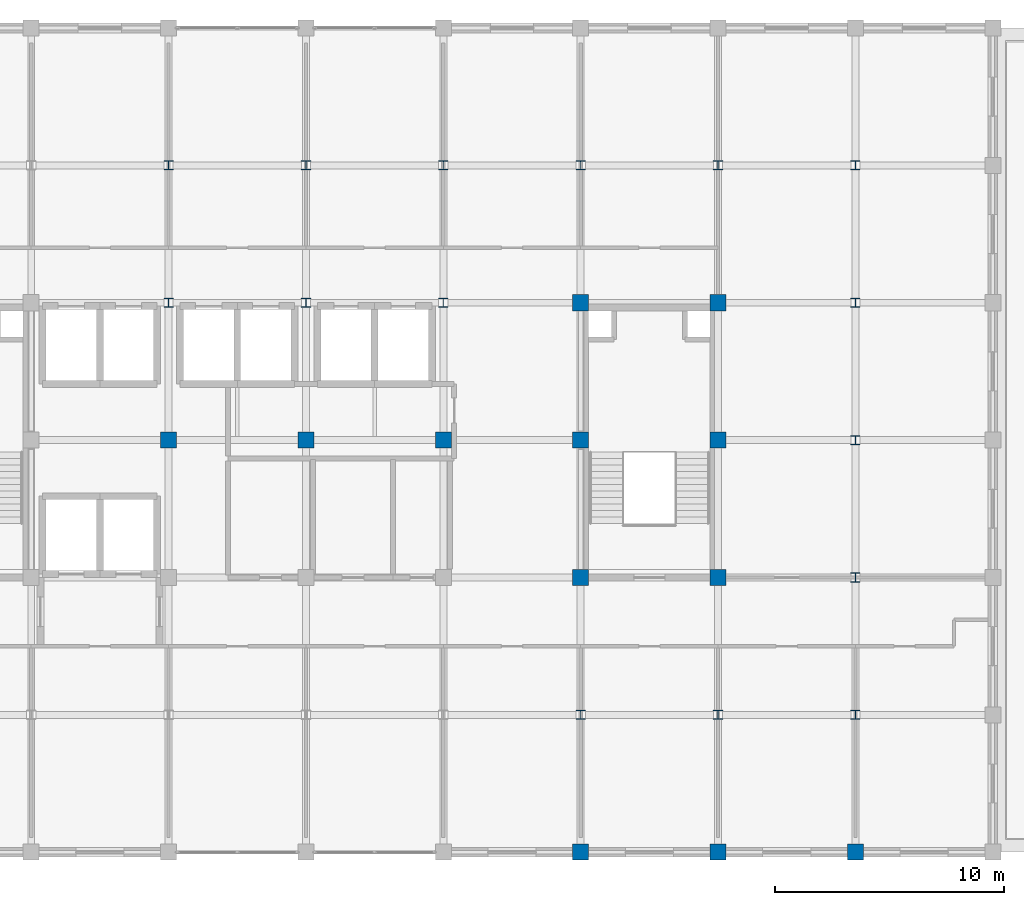
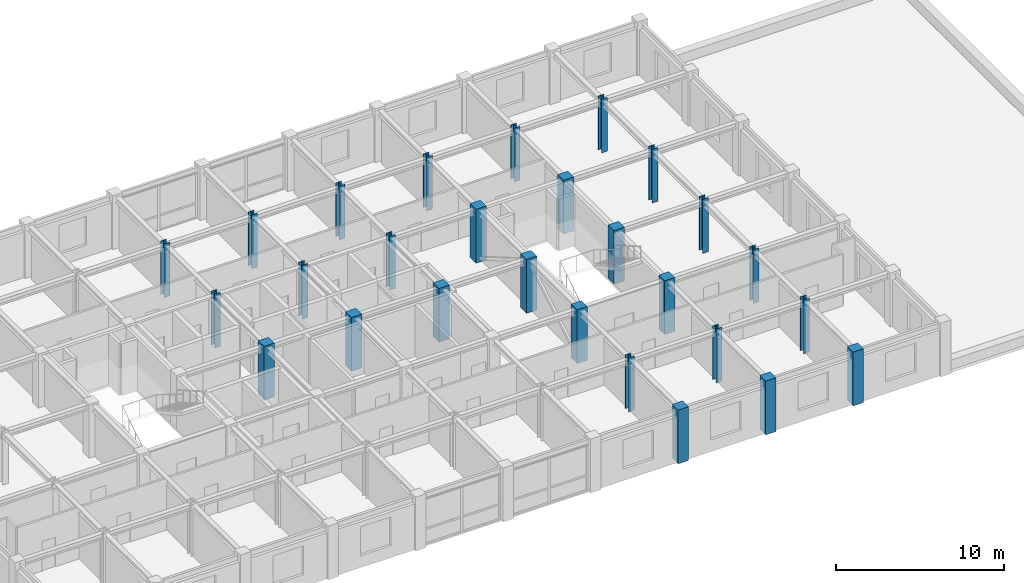
# One storey, part 2 of 13: 27 columns.
"""IFC4 building model written with IfcOpenShell, lengths in metres."""

from ifc_helpers import new_model, si_unit, direction, frame, origin, origin_2d, place, context, subcontext, project, spatial, rectangle, i_section, extrude, material, material_profile, profile_set, type_object, element, save


model = new_model("IFC4")

# Units and contexts
model_context = context("Model", 3, precision=1e-05, world=origin(), true_north=direction((0.0, 1.0)))
body_context = subcontext(model_context, "Body", "Model", "MODEL_VIEW")
ifc_project = project(units=[si_unit("LENGTHUNIT", "METRE"), si_unit("AREAUNIT", "SQUARE_METRE"), si_unit("VOLUMEUNIT", "CUBIC_METRE"), si_unit("PLANEANGLEUNIT", "RADIAN"), si_unit("MASSUNIT", "GRAM", prefix="KILO")], contexts=[model_context])

# Site, building, storey
site_placement = place(None, origin())
site = spatial("IfcSite", under=ifc_project, at=site_placement, CompositionType="ELEMENT")
building_placement = place(site_placement, origin())
building = spatial("IfcBuilding", under=site, at=building_placement, Name="Zlatovratsky Civic Hall", CompositionType="ELEMENT")
storey_placement = place(building_placement, frame((0.0, 0.0, 24.89990234375)))
storey = spatial("IfcBuildingStorey", under=building, at=storey_placement, Name="L06", CompositionType="ELEMENT", Elevation=24.89990234375)

# Columns
ifc_material_1 = material(Name="Concrete C35/45 (B40)", Category="concrete")
ifc_material_profile_1 = material_profile(ifc_material_1, rectangle(XDim=0.699951171875, YDim=0.699951171875, at=origin_2d()), Name="RC 700x700")
ifc_profile_set_1 = profile_set([ifc_material_profile_1], Name="Concrete C35/45 (B40)")
column_type_1 = type_object("IfcColumnType", Name="Col_CorePier_RC700", PredefinedType="COLUMN", material=ifc_profile_set_1)
for number, where, z_axis, x_axis, name in (
    (1, (96.0, 72.0, 0.0), (0.0, 0.0, 1.0), (1.0, 0.0, 0.0), "CL-2025"),
    (2, (102.0, 72.0, 0.0), (0.0, 0.0, 1.0), (1.0, 0.0, 0.0), "CL-2026"),
    (3, (108.0, 72.0, 0.0), (0.0, 0.0, 1.0), (1.0, 0.0, 0.0), "CL-2027"),
    (4, (96.0, 84.0, 0.0), (0.0, 0.0, 1.0), (1.0, 0.0, 0.0), "CL-2047"),
    (5, (102.0, 84.0, 0.0), (0.0, 0.0, 1.0), (1.0, 0.0, 0.0), "CL-2048"),
    (6, (78.0, 90.0, 0.0), (0.0, 0.0, 1.0), (1.0, 0.0, 0.0), "CL-2055"),
    (7, (84.0, 90.0, 0.0), (0.0, 0.0, 1.0), (1.0, 0.0, 0.0), "CL-2056"),
    (8, (90.0, 90.0, 0.0), (0.0, 0.0, 1.0), (1.0, 0.0, 0.0), "CL-2057"),
    (9, (96.0, 90.0, 0.0), (0.0, 0.0, 1.0), (1.0, 0.0, 0.0), "CL-2058"),
    (10, (102.0, 90.0, 0.0), (0.0, 0.0, 1.0), (1.0, 0.0, 0.0), "CL-2059"),
    (11, (96.0, 96.0, 0.0), (0.0, 0.0, 1.0), (1.0, 0.0, 0.0), "CL-2069"),
    (12, (102.0, 96.0, 0.0), (0.0, 0.0, 1.0), (1.0, 0.0, 0.0), "CL-2070"),
):
    element("IfcColumn", number, at=place(storey_placement, frame(where, z_axis=z_axis, x_axis=x_axis)), inside=storey, type_object=column_type_1, Name=name, PredefinedType="COLUMN", context=body_context, shape_type="SweptSolid", body=[
        extrude(rectangle(XDim=0.699951171875, YDim=0.699951171875, at=origin_2d()), origin(), (0.0, 0.0, 1.0), 3.900146484375),
    ])
ifc_material_2 = material(Name="Steel S355", Category="steel")
ifc_material_profile_2 = material_profile(ifc_material_2, i_section(OverallWidth=0.39990234375, OverallDepth=0.39990234375, WebThickness=0.012939453125, FlangeThickness=0.02099609375, FilletRadius=0.02197265625, at=origin_2d()), Name="40K2")
ifc_profile_set_2 = profile_set([ifc_material_profile_2], Name="Steel S355")
column_type_2 = type_object("IfcColumnType", Name="Col_Steel_40K2", PredefinedType="COLUMN", material=ifc_profile_set_2)
for number, where, z_axis, x_axis, name in (
    (13, (96.0, 78.0, 0.0), (0.0, 0.0, 1.0), (1.0, 0.0, 0.0), "CL-2036"),
    (14, (102.0, 78.0, 0.0), (0.0, 0.0, 1.0), (1.0, 0.0, 0.0), "CL-2037"),
    (15, (108.0, 78.0, 0.0), (0.0, 0.0, 1.0), (1.0, 0.0, 0.0), "CL-2038"),
    (16, (108.0, 84.0, 0.0), (0.0, 0.0, 1.0), (1.0, 0.0, 0.0), "CL-2049"),
    (17, (108.0, 90.0, 0.0), (0.0, 0.0, 1.0), (1.0, 0.0, 0.0), "CL-2060"),
    (18, (78.0, 96.0, 0.0), (0.0, 0.0, 1.0), (1.0, 0.0, 0.0), "CL-2066"),
    (19, (84.0, 96.0, 0.0), (0.0, 0.0, 1.0), (1.0, 0.0, 0.0), "CL-2067"),
    (20, (90.0, 96.0, 0.0), (0.0, 0.0, 1.0), (1.0, 0.0, 0.0), "CL-2068"),
    (21, (108.0, 96.0, 0.0), (0.0, 0.0, 1.0), (1.0, 0.0, 0.0), "CL-2071"),
    (22, (78.0, 102.0, 0.0), (0.0, 0.0, 1.0), (1.0, 0.0, 0.0), "CL-2077"),
    (23, (84.0, 102.0, 0.0), (0.0, 0.0, 1.0), (1.0, 0.0, 0.0), "CL-2078"),
    (24, (90.0, 102.0, 0.0), (0.0, 0.0, 1.0), (1.0, 0.0, 0.0), "CL-2079"),
    (25, (96.0, 102.0, 0.0), (0.0, 0.0, 1.0), (1.0, 0.0, 0.0), "CL-2080"),
    (26, (102.0, 102.0, 0.0), (0.0, 0.0, 1.0), (1.0, 0.0, 0.0), "CL-2081"),
    (27, (108.0, 102.0, 0.0), (0.0, 0.0, 1.0), (1.0, 0.0, 0.0), "CL-2082"),
):
    element("IfcColumn", number, at=place(storey_placement, frame(where, z_axis=z_axis, x_axis=x_axis)), inside=storey, type_object=column_type_2, Name=name, PredefinedType="COLUMN", context=body_context, shape_type="SweptSolid", body=[
        extrude(i_section(OverallWidth=0.39990234375, OverallDepth=0.39990234375, WebThickness=0.012939453125, FlangeThickness=0.02099609375, FilletRadius=0.02197265625, at=origin_2d()), origin(), (0.0, 0.0, 1.0), 3.900146484375),
    ])

save(model, "model.ifc")
